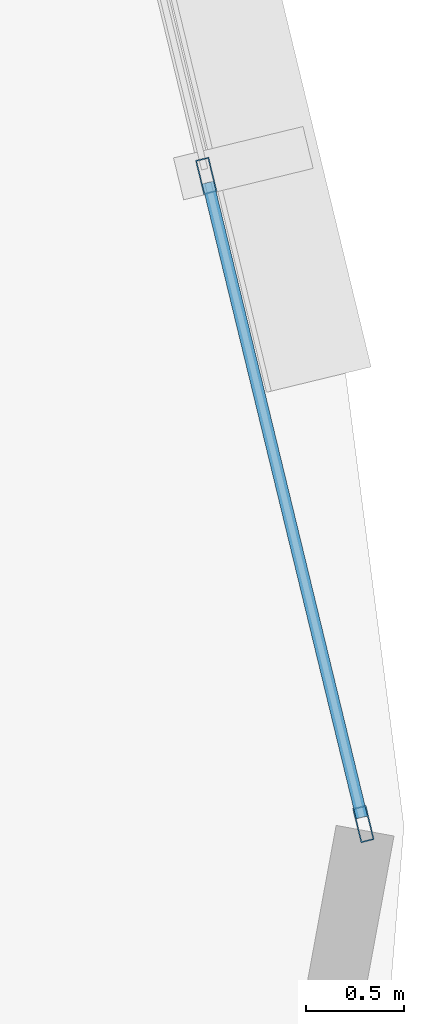
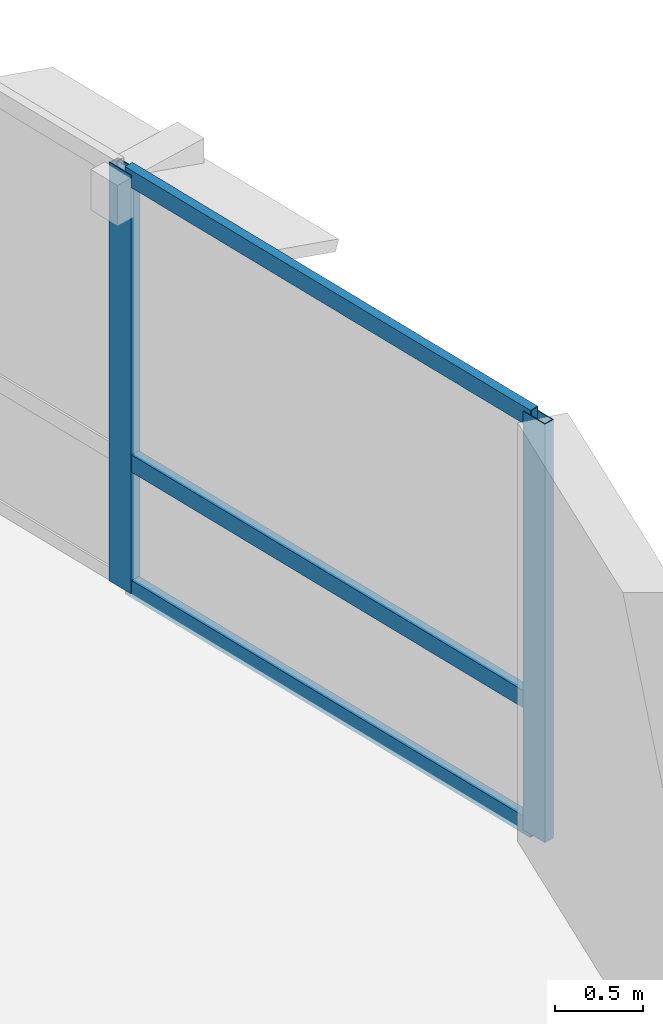
# One storey, part 6 of 14: 5 members, 1 element without a shape of its own.
"""IFC4 building model written with IfcOpenShell, lengths in metres."""

from ifc_helpers import new_model, si_unit, direction, frame, origin, origin_2d, place, context, subcontext, project, spatial, hollow_rectangle, extrude, material, layer, layer_set, material_profile, profile_set, type_object, element, aggregate, save


model = new_model("IFC4")

# Units and contexts
model_context = context("Model", 3, precision=1e-05, world=origin(), true_north=direction((0.0, 1.0)))
body_context = subcontext(model_context, "Body", "Model", "MODEL_VIEW")
ifc_project = project(units=[si_unit("LENGTHUNIT", "METRE"), si_unit("AREAUNIT", "SQUARE_METRE"), si_unit("VOLUMEUNIT", "CUBIC_METRE"), si_unit("PLANEANGLEUNIT", "RADIAN"), si_unit("MASSUNIT", "GRAM", prefix="KILO"), si_unit("THERMODYNAMICTEMPERATUREUNIT", "KELVIN"), si_unit("POWERUNIT", "WATT")], contexts=[model_context])

# Site, building, storey
site_placement = place(None, origin())
site = spatial("IfcSite", under=ifc_project, at=site_placement, CompositionType="ELEMENT")
building_placement = place(site_placement, origin())
building = spatial("IfcBuilding", under=site, at=building_placement, Name="Ocrelia Relay Tower", CompositionType="ELEMENT")
storey_placement = place(building_placement, frame((0.0, 0.0, 145.800048828125)))
storey = spatial("IfcBuildingStorey", under=building, at=storey_placement, Name="L34", CompositionType="ELEMENT", Elevation=145.800048828125)

# Curtain wall, members
ifc_material_1 = material(Name="Aluminium and solar-control low-E glass", Category="aluminium")
ifc_layer = layer(ifc_material_1, 0.179931640625, Name="Aluminium and solar-control low-E glass")
ifc_layer_set = layer_set([ifc_layer], Name="Aluminium and solar-control low-E glass")
curtain_wall_type = type_object("IfcCurtainWallType", Name="CW-SYS-Z2-SWIT", PredefinedType="NOTDEFINED", material=ifc_layer_set)
curtain_wall_placement = place(storey_placement, origin())
curtain_wall = element("IfcCurtainWall", 1, at=curtain_wall_placement, inside=storey, type_object=curtain_wall_type, Name="L34 Elliptical Tower Curtain Wall Bay 18", PredefinedType="NOTDEFINED")
ifc_material_2 = material(Name="Anodised bronze aluminium", Category="aluminium")
ifc_material_profile_1 = material_profile(ifc_material_2, hollow_rectangle(XDim=0.070068359375, YDim=0.179931640625, WallThickness=0.006103515625, at=origin_2d()), Name="CW-MUL-180x70")
ifc_profile_set_1 = profile_set([ifc_material_profile_1], Name="Anodised bronze aluminium")
member_type_1 = type_object("IfcMemberType", Name="CW-SYS-Z2-SWIT-MUL", PredefinedType="MULLION", material=ifc_profile_set_1)
member_1_placement = place(storey_placement, frame((58.503173828125, 30.811279296875, 0.0), z_axis=(0.0, 0.0, 1.0), x_axis=(-0.97183275464, -0.235671587189, 0.0)))
member_1 = element("IfcMember", 2, at=member_1_placement, type_object=member_type_1, Name="CW-Z2 mullion 1", PredefinedType="MULLION", context=body_context, shape_type="SweptSolid", body=[
    extrude(hollow_rectangle(XDim=0.070068359375, YDim=0.179931640625, WallThickness=0.006103515625, at=origin_2d()), origin(), (0.0, 0.0, 1.0), 2.89990234375),
])
member_2_placement = place(storey_placement, frame((57.700927734375, 34.119873046875, 0.0), z_axis=(0.0, 0.0, 1.0), x_axis=(-0.97183275464, -0.235671587189, 0.0)))
member_2 = element("IfcMember", 3, at=member_2_placement, type_object=member_type_1, Name="CW-Z2 mullion 2", PredefinedType="MULLION", context=body_context, shape_type="SweptSolid", body=[
    extrude(hollow_rectangle(XDim=0.070068359375, YDim=0.179931640625, WallThickness=0.006103515625, at=origin_2d()), origin(), (0.0, 0.0, 1.0), 2.89990234375),
])
ifc_material_profile_2 = material_profile(ifc_material_2, hollow_rectangle(XDim=0.06005859375, YDim=0.1201171875, WallThickness=0.0048828125, at=origin_2d()), Name="CW-TRN-120x60")
ifc_profile_set_2 = profile_set([ifc_material_profile_2], Name="Anodised bronze aluminium")
member_type_2 = type_object("IfcMemberType", Name="CW-SYS-Z2-SWIT-TRN", PredefinedType="USERDEFINED", material=ifc_profile_set_2)
member_3_placement = place(storey_placement, frame((58.4951171875, 30.84521484375, 0.030029296875), z_axis=(-0.23567336517, 0.971832323474, 0.0), x_axis=(-0.971832323474, -0.23567336517, 0.0)))
member_3 = element("IfcMember", 4, at=member_3_placement, type_object=member_type_2, Name="CW-Z2 transom 1.1", ObjectType="TRANSOM", PredefinedType="USERDEFINED", context=body_context, shape_type="SweptSolid", body=[
    extrude(hollow_rectangle(XDim=0.06005859375, YDim=0.1201171875, WallThickness=0.0048828125, at=origin_2d()), origin(), (0.0, 0.0, 1.0), 3.334716796875),
])
member_4_placement = place(storey_placement, frame((58.4951171875, 30.84521484375, 0.89990234375), z_axis=(-0.23567336517, 0.971832323474, 0.0), x_axis=(-0.971832323474, -0.23567336517, 0.0)))
member_4 = element("IfcMember", 5, at=member_4_placement, type_object=member_type_2, Name="CW-Z2 transom 1.2", ObjectType="TRANSOM", PredefinedType="USERDEFINED", context=body_context, shape_type="SweptSolid", body=[
    extrude(hollow_rectangle(XDim=0.06005859375, YDim=0.1201171875, WallThickness=0.0048828125, at=origin_2d()), origin(), (0.0, 0.0, 1.0), 3.334716796875),
])
member_5_placement = place(storey_placement, frame((58.4951171875, 30.84521484375, 2.869873046875), z_axis=(-0.23567336517, 0.971832323474, 0.0), x_axis=(-0.971832323474, -0.23567336517, 0.0)))
member_5 = element("IfcMember", 6, at=member_5_placement, type_object=member_type_2, Name="CW-Z2 transom 1.3", ObjectType="TRANSOM", PredefinedType="USERDEFINED", context=body_context, shape_type="SweptSolid", body=[
    extrude(hollow_rectangle(XDim=0.06005859375, YDim=0.1201171875, WallThickness=0.0048828125, at=origin_2d()), origin(), (0.0, 0.0, 1.0), 3.334716796875),
])
aggregate(curtain_wall, [member_1, member_2, member_3, member_4, member_5])

save(model, "model.ifc")
